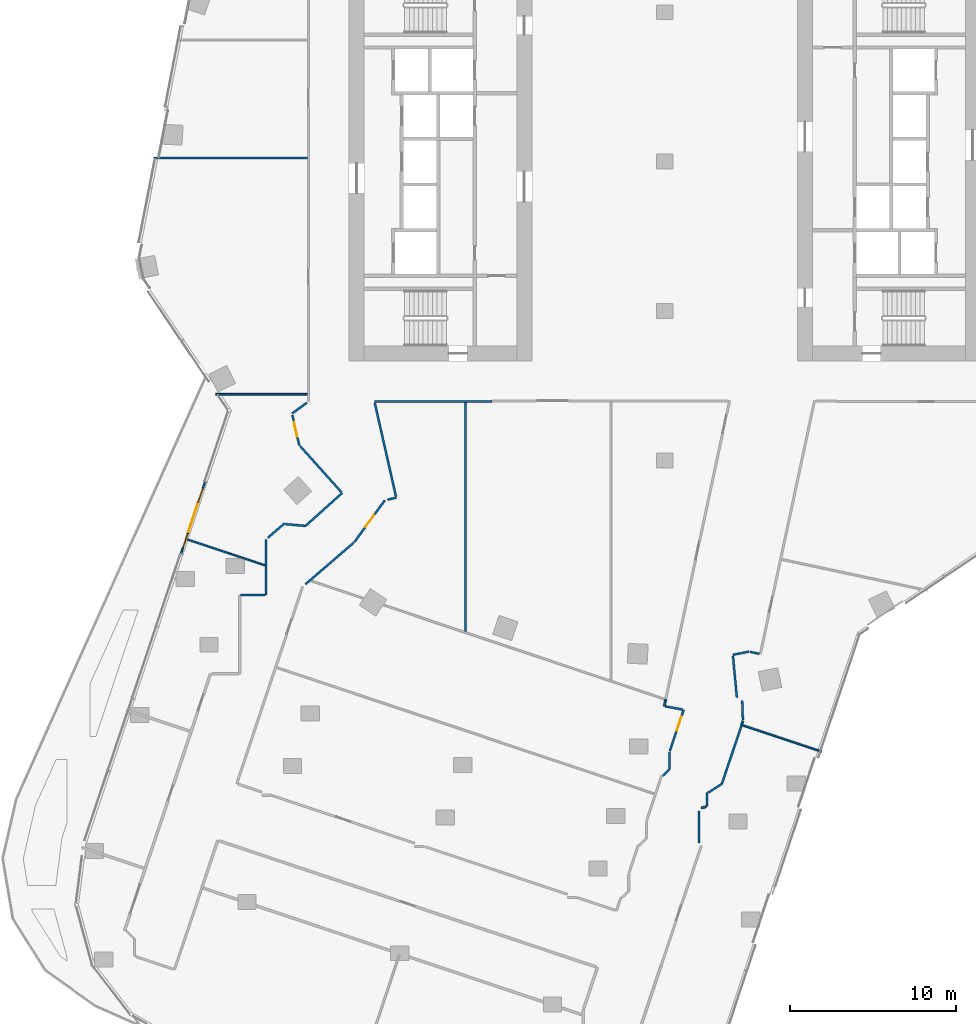
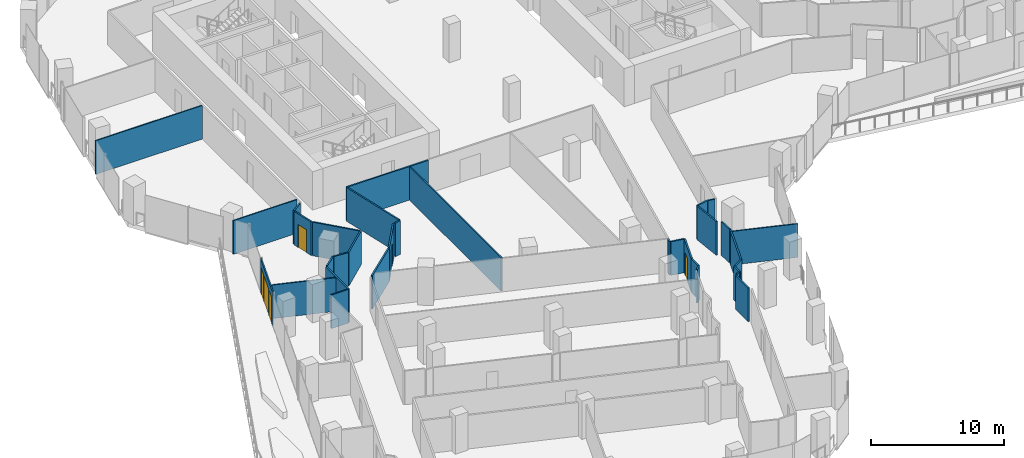
# One storey, part 22 of 34: 34 walls, 4 doors, 2 windows, 6 openings.
"""IFC4 building model written with IfcOpenShell, lengths in metres."""

from ifc_helpers import new_model, si_unit, direction, frame, frame_2d, origin, place, context, subcontext, project, spatial, rectangle, extrude, material, layer, layer_set, type_object, element, fill, save


model = new_model("IFC4")

# Units and contexts
model_context = context("Model", 3, precision=1e-05, world=origin(), true_north=direction((0.0, 1.0)))
body_context = subcontext(model_context, "Body", "Model", "MODEL_VIEW")
ifc_project = project(units=[si_unit("LENGTHUNIT", "METRE"), si_unit("AREAUNIT", "SQUARE_METRE"), si_unit("VOLUMEUNIT", "CUBIC_METRE"), si_unit("PLANEANGLEUNIT", "RADIAN"), si_unit("MASSUNIT", "GRAM", prefix="KILO")], contexts=[model_context])

# Site, building, storey
site_placement = place(None, origin())
site = spatial("IfcSite", under=ifc_project, at=site_placement, CompositionType="ELEMENT")
building_placement = place(site_placement, origin())
building = spatial("IfcBuilding", under=site, at=building_placement, Name="Orlundy Tower", CompositionType="ELEMENT")
storey_placement = place(building_placement, frame((0.0, 0.0, 145.60009765625)))
storey = spatial("IfcBuildingStorey", under=building, at=storey_placement, Name="L37", CompositionType="ELEMENT", Elevation=145.60009765625)

# Walls
ifc_material_1 = material(Name="Gypsum board partition")
ifc_layer_1 = layer(ifc_material_1, 0.10009765625)
ifc_layer_set_1 = layer_set([ifc_layer_1], Name="Floor partition 100")
wall_type_1 = type_object("IfcWallType", Name="Floor partition 100", PredefinedType="PARTITIONING", material=ifc_layer_set_1)
wall_1_placement = place(storey_placement, frame((-28.735107421875, -22.751953125, 0.0), z_axis=(0.0, 0.0, 1.0), x_axis=(0.948349317967, -0.317227948188, 0.0)))
element("IfcWall", 1, at=wall_1_placement, inside=storey, type_object=wall_type_1, Name="wall-int-L37-027", PredefinedType="PARTITIONING", context=body_context, shape_type="SweptSolid", body=[
    extrude(rectangle(XDim=4.905517578125, YDim=0.10009765625, at=frame_2d((2.45263671875, 0.0))), origin(), (0.0, 0.0, 1.0), 3.079833984375),
])
wall_2_placement = place(storey_placement, frame((4.694091796875, -33.93701171875, 0.0), z_axis=(0.0, 0.0, 1.0), x_axis=(0.948328377773, -0.317290541791, 0.0)))
element("IfcWall", 2, at=wall_2_placement, inside=storey, type_object=wall_type_1, Name="wall-int-L37-029", PredefinedType="PARTITIONING", context=body_context, shape_type="SweptSolid", body=[
    extrude(rectangle(XDim=5.030029296875, YDim=0.10009765625, at=frame_2d((2.51513671875, 0.0))), origin(), (0.0, 0.0, 1.0), 3.079833984375),
])
wall_3_placement = place(storey_placement, frame((-27.044921875, -14.0, 0.0), z_axis=(0.0, 0.0, 1.0), x_axis=(1.0, 0.0, 0.0)))
element("IfcWall", 3, at=wall_3_placement, inside=storey, type_object=wall_type_1, Name="wall-int-L37-066", PredefinedType="PARTITIONING", context=body_context, shape_type="SweptSolid", body=[
    extrude(rectangle(XDim=5.532958984375, YDim=0.10009765625, at=frame_2d((2.7666015625, 0.0))), origin(), (0.0, 0.0, 1.0), 3.079833984375),
])
wall_4_placement = place(storey_placement, frame((-30.77294921875, 0.22412109375, 0.0), z_axis=(0.0, 0.0, 1.0), x_axis=(1.0, 0.0, 0.0)))
element("IfcWall", 4, at=wall_4_placement, inside=storey, type_object=wall_type_1, Name="wall-int-L37-067", PredefinedType="PARTITIONING", context=body_context, shape_type="SweptSolid", body=[
    extrude(rectangle(XDim=9.260986328125, YDim=0.10009765625, at=frame_2d((4.63037109375, 0.0))), origin(), (0.0, 0.0, 1.0), 3.079833984375),
])
wall_5_placement = place(storey_placement, frame((-12.0, -28.281982421875, 0.0), z_axis=(0.0, 0.0, 1.0), x_axis=(0.0, 1.0, 0.0)))
element("IfcWall", 5, at=wall_5_placement, inside=storey, type_object=wall_type_1, Name="wall-int-L37-145", PredefinedType="PARTITIONING", context=body_context, shape_type="SweptSolid", body=[
    extrude(rectangle(XDim=13.76806640625, YDim=0.10009765625, at=frame_2d((6.884033203125, 0.0))), origin(), (0.0, 0.0, 1.0), 3.079833984375),
])
ifc_material_2 = material(Name="Gypsum board partition, double layer")
ifc_layer_2 = layer(ifc_material_2, 0.125)
ifc_layer_set_2 = layer_set([ifc_layer_2], Name="Floor partition 125")
wall_type_2 = type_object("IfcWallType", Name="Floor partition 125", PredefinedType="PARTITIONING", material=ifc_layer_set_2)
wall_6_placement = place(storey_placement, frame((4.110107421875, -29.761962890625, 0.0), z_axis=(0.0, 0.0, 1.0), x_axis=(0.094315557951, -0.995542352453, 0.0)))
element("IfcWall", 6, at=wall_6_placement, inside=storey, type_object=wall_type_2, Name="wall-int-L37-002", PredefinedType="PARTITIONING", context=body_context, shape_type="SweptSolid", body=[
    extrude(rectangle(XDim=2.521240234375, YDim=0.125, at=frame_2d((1.2607421875, 0.0))), origin(), (0.0, 0.0, 1.0), 3.079833984375),
])
wall_7_placement = place(storey_placement, frame((4.666015625, -32.4609375, 0.0), z_axis=(0.0, 0.0, 1.0), x_axis=(0.03682592513, -0.999321695571, 0.0)))
element("IfcWall", 7, at=wall_7_placement, inside=storey, type_object=wall_type_2, Name="wall-int-L37-003", PredefinedType="PARTITIONING", context=body_context, shape_type="SweptSolid", body=[
    extrude(rectangle(XDim=1.166748046875, YDim=0.125, at=frame_2d((0.58349609375, 0.0))), origin(), (0.0, 0.0, 1.0), 3.079833984375),
])

# Wall, opening, door
wall_8_placement = place(storey_placement, frame((-22.0048828125, -17.093017578125, 0.0), z_axis=(0.0, 0.0, 1.0), x_axis=(-0.220993241738, 0.975275339125, 0.0)))
wall_8 = element("IfcWall", 8, at=wall_8_placement, inside=storey, type_object=wall_type_2, Name="wall-int-L37-004", PredefinedType="PARTITIONING", context=body_context, shape_type="SweptSolid", body=[
    extrude(rectangle(XDim=1.882568359375, YDim=0.125, at=frame_2d((0.94140625, 0.0))), origin(), (0.0, 0.0, 1.0), 3.079833984375),
])
opening_1_placement = place(wall_8_placement, frame((0.53759765625, 0.0, 0.0)))
opening_1 = element("IfcOpeningElement", 9, at=opening_1_placement, cuts=wall_8, Name="Opening 28120", PredefinedType="OPENING", context=body_context, shape_type="SweptSolid", body=[
    extrude(rectangle(XDim=0.89990234375, YDim=2.10009765625, at=frame_2d((0.449951171875, 1.050048828125))), frame((0.0, 0.072509765625, 0.0), z_axis=(0.0, -1.0, 0.0), x_axis=(1.0, 0.0, 0.0)), (0.0, 0.0, 1.0), 0.14501953125),
])
ifc_material_3 = material(Name="Timber door leaf", Category="wood")
door_type_1 = type_object("IfcDoorType", Name="Floor door single 900 FD30S", OperationType="NOTDEFINED", PredefinedType="DOOR", material=ifc_material_3)
door_1_placement = place(opening_1_placement, origin())
door_1 = element("IfcDoor", 10, at=door_1_placement, inside=storey, type_object=door_type_1, Name="Door 28120", OperationType="SINGLE_SWING_RIGHT", OverallHeight=2.10009765625, OverallWidth=0.89990234375, PredefinedType="DOOR", context=body_context, shape_type="SweptSolid", body=[
    extrude(rectangle(XDim=0.89990234375, YDim=2.10009765625, at=frame_2d((0.449951171875, 1.050048828125))), frame((0.0, 0.02490234375, 0.0), z_axis=(0.0, -1.0, 0.0), x_axis=(1.0, 0.0, 0.0)), (0.0, 0.0, 1.0), 0.050048828125),
])
fill(opening_1, door_1)

# Walls
wall_9_placement = place(storey_placement, frame((-17.458984375, -14.527099609375, 0.0), z_axis=(0.0, 0.0, 1.0), x_axis=(0.22097932786, -0.975278491847, 0.0)))
element("IfcWall", 11, at=wall_9_placement, inside=storey, type_object=wall_type_2, Name="wall-int-L37-005", PredefinedType="PARTITIONING", context=body_context, shape_type="SweptSolid", body=[
    extrude(rectangle(XDim=5.7880859375, YDim=0.125, at=frame_2d((2.89404296875, 0.0))), origin(), (0.0, 0.0, 1.0), 3.079833984375),
])
wall_10_placement = place(storey_placement, frame((-22.846923828125, -21.823974609375, 0.0), z_axis=(0.0, 0.0, 1.0), x_axis=(0.995911246845, -0.090337082125, 0.0)))
element("IfcWall", 12, at=wall_10_placement, inside=storey, type_object=wall_type_2, Name="wall-int-L37-008", PredefinedType="PARTITIONING", context=body_context, shape_type="SweptSolid", body=[
    extrude(rectangle(XDim=1.21875, YDim=0.125, at=frame_2d((0.609375, 0.0))), origin(), (0.0, 0.0, 1.0), 3.079833984375),
])
wall_11_placement = place(storey_placement, frame((-21.95703125, -17.1240234375, 0.0), z_axis=(0.0, 0.0, 1.0), x_axis=(0.667356334738, -0.744738559822, 0.0)))
element("IfcWall", 13, at=wall_11_placement, inside=storey, type_object=wall_type_2, Name="wall-int-L37-009", PredefinedType="PARTITIONING", context=body_context, shape_type="SweptSolid", body=[
    extrude(rectangle(XDim=3.735595703125, YDim=0.125, at=frame_2d((1.86767578125, 0.0))), origin(), (0.0, 0.0, 1.0), 3.079833984375),
])
wall_12_placement = place(storey_placement, frame((5.135986328125, -29.51611328125, 0.0), z_axis=(0.0, 0.0, 1.0), x_axis=(0.978074690438, -0.208254411537, 0.0)))
element("IfcWall", 14, at=wall_12_placement, inside=storey, type_object=wall_type_2, Name="wall-int-L37-031", PredefinedType="PARTITIONING", context=body_context, shape_type="SweptSolid", body=[
    extrude(rectangle(XDim=0.57568359375, YDim=0.125, at=frame_2d((0.287841796875, 0.0))), origin(), (0.0, 0.0, 1.0), 3.079833984375),
])
wall_13_placement = place(storey_placement, frame((0.034912109375, -32.802001953125, 0.0), z_axis=(0.0, 0.0, 1.0), x_axis=(0.983943238731, -0.178481659998, 0.0)))
element("IfcWall", 15, at=wall_13_placement, inside=storey, type_object=wall_type_2, Name="wall-int-L37-032", PredefinedType="PARTITIONING", context=body_context, shape_type="SweptSolid", body=[
    extrude(rectangle(XDim=1.064208984375, YDim=0.125, at=frame_2d((0.5322265625, 0.0))), origin(), (0.0, 0.0, 1.0), 3.079833984375),
])
wall_14_placement = place(storey_placement, frame((2.623046875, -37.9970703125, 0.0), z_axis=(0.0, 0.0, 1.0), x_axis=(0.840117362628, 0.542404661679, 0.0)))
element("IfcWall", 16, at=wall_14_placement, inside=storey, type_object=wall_type_2, Name="wall-int-L37-056", PredefinedType="PARTITIONING", context=body_context, shape_type="SweptSolid", body=[
    extrude(rectangle(XDim=0.980712890625, YDim=0.125, at=frame_2d((0.490234375, 0.0))), origin(), (0.0, 0.0, 1.0), 3.079833984375),
])
wall_15_placement = place(storey_placement, frame((-0.09912109375, -36.97509765625, 0.0), z_axis=(0.0, 0.0, 1.0), x_axis=(0.707106781187, 0.707106781187, 0.0)))
element("IfcWall", 17, at=wall_15_placement, inside=storey, type_object=wall_type_2, Name="wall-int-L37-057", PredefinedType="PARTITIONING", context=body_context, shape_type="SweptSolid", body=[
    extrude(rectangle(XDim=0.55322265625, YDim=0.125, at=frame_2d((0.276611328125, 0.0))), origin(), (0.0, 0.0, 1.0), 3.079833984375),
])
wall_16_placement = place(storey_placement, frame((-25.5380859375, -26.096923828125, 0.0), z_axis=(0.0, 0.0, 1.0), x_axis=(1.0, 0.0, 0.0)))
element("IfcWall", 18, at=wall_16_placement, inside=storey, type_object=wall_type_2, Name="wall-int-L37-059", PredefinedType="PARTITIONING", context=body_context, shape_type="SweptSolid", body=[
    extrude(rectangle(XDim=1.47119140625, YDim=0.125, at=frame_2d((0.735595703125, 0.0))), origin(), (0.0, 0.0, 1.0), 3.079833984375),
])
wall_17_placement = place(storey_placement, frame((-17.47607421875, -14.450927734375, 0.0), z_axis=(0.0, 0.0, 1.0), x_axis=(1.0, 0.0, 0.0)))
element("IfcWall", 19, at=wall_17_placement, inside=storey, type_object=wall_type_2, Name="wall-int-L37-062", PredefinedType="PARTITIONING", context=body_context, shape_type="SweptSolid", body=[
    extrude(rectangle(XDim=7.0849609375, YDim=0.125, at=frame_2d((3.54248046875, 0.0))), origin(), (0.0, 0.0, 1.0), 3.079833984375),
])
wall_18_placement = place(storey_placement, frame((4.10400390625, -29.699951171875, 0.0), z_axis=(0.0, 0.0, 1.0), x_axis=(0.980027109115, 0.198863936901, 0.0)))
element("IfcWall", 20, at=wall_18_placement, inside=storey, type_object=wall_type_2, Name="wall-int-L37-079", PredefinedType="PARTITIONING", context=body_context, shape_type="SweptSolid", body=[
    extrude(rectangle(XDim=0.99072265625, YDim=0.125, at=frame_2d((0.495361328125, 0.0))), origin(), (0.0, 0.0, 1.0), 3.079833984375),
])
wall_19_placement = place(storey_placement, frame((-16.68798828125, -20.35107421875, 0.0), z_axis=(0.0, 0.0, 1.0), x_axis=(0.975624440279, 0.2194469219, 0.0)))
element("IfcWall", 21, at=wall_19_placement, inside=storey, type_object=wall_type_2, Name="wall-int-L37-082", PredefinedType="PARTITIONING", context=body_context, shape_type="SweptSolid", body=[
    extrude(rectangle(XDim=0.533935546875, YDim=0.125, at=frame_2d((0.26708984375, 0.0))), origin(), (0.0, 0.0, 1.0), 3.079833984375),
])
wall_20_placement = place(storey_placement, frame((2.212890625, -38.9189453125, 0.0), z_axis=(0.0, 0.0, 1.0), x_axis=(0.967485661633, 0.252925867666, 0.0)))
element("IfcWall", 22, at=wall_20_placement, inside=storey, type_object=wall_type_2, Name="wall-int-L37-083", PredefinedType="PARTITIONING", context=body_context, shape_type="SweptSolid", body=[
    extrude(rectangle(XDim=0.276123046875, YDim=0.125, at=frame_2d((0.13818359375, 0.0))), origin(), (0.0, 0.0, 1.0), 3.079833984375),
])
wall_21_placement = place(storey_placement, frame((-22.429931640625, -15.158935546875, 0.0), z_axis=(0.0, 0.0, 1.0), x_axis=(0.808202988532, 0.588904006888, 0.0)))
element("IfcWall", 23, at=wall_21_placement, inside=storey, type_object=wall_type_2, Name="wall-int-L37-085", PredefinedType="PARTITIONING", context=body_context, shape_type="SweptSolid", body=[
    extrude(rectangle(XDim=1.08984375, YDim=0.125, at=frame_2d((0.544921875, 0.0))), origin(), (0.0, 0.0, 1.0), 3.079833984375),
])
wall_22_placement = place(storey_placement, frame((-21.631103515625, -25.445068359375, 0.0), z_axis=(0.0, 0.0, 1.0), x_axis=(0.758076355729, 0.652165806283, 0.0)))
element("IfcWall", 24, at=wall_22_placement, inside=storey, type_object=wall_type_2, Name="wall-int-L37-086", PredefinedType="PARTITIONING", context=body_context, shape_type="SweptSolid", body=[
    extrude(rectangle(XDim=3.81494140625, YDim=0.125, at=frame_2d((1.907470703125, 0.0))), origin(), (0.0, 0.0, 1.0), 3.079833984375),
])
wall_23_placement = place(storey_placement, frame((-23.902099609375, -22.64794921875, 0.0), z_axis=(0.0, 0.0, 1.0), x_axis=(0.758365847052, 0.651829150948, 0.0)))
element("IfcWall", 25, at=wall_23_placement, inside=storey, type_object=wall_type_2, Name="wall-int-L37-087", PredefinedType="PARTITIONING", context=body_context, shape_type="SweptSolid", body=[
    extrude(rectangle(XDim=1.3359375, YDim=0.125, at=frame_2d((0.66796875, 0.0))), origin(), (0.0, 0.0, 1.0), 3.079833984375),
])
wall_24_placement = place(storey_placement, frame((-21.633056640625, -21.93408203125, 0.0), z_axis=(0.0, 0.0, 1.0), x_axis=(0.744739962286, 0.66735476965, 0.0)))
element("IfcWall", 26, at=wall_24_placement, inside=storey, type_object=wall_type_2, Name="wall-int-L37-088", PredefinedType="PARTITIONING", context=body_context, shape_type="SweptSolid", body=[
    extrude(rectangle(XDim=2.96875, YDim=0.125, at=frame_2d((1.484375, 0.0))), origin(), (0.0, 0.0, 1.0), 3.079833984375),
])

# Wall, opening, door
wall_25_placement = place(storey_placement, frame((-16.85009765625, -20.387939453125, 0.0), z_axis=(0.0, 0.0, 1.0), x_axis=(-0.588933093797, -0.808181793305, 0.0)))
wall_25 = element("IfcWall", 27, at=wall_25_placement, inside=storey, type_object=wall_type_2, Name="wall-int-L37-091", PredefinedType="PARTITIONING", context=body_context, shape_type="SweptSolid", body=[
    extrude(rectangle(XDim=3.125732421875, YDim=0.125, at=frame_2d((1.56298828125, 0.0))), origin(), (0.0, 0.0, 1.0), 3.079833984375),
])
opening_2_placement = place(wall_25_placement, frame((1.10009765625, 0.0, 0.0)))
opening_2 = element("IfcOpeningElement", 28, at=opening_2_placement, cuts=wall_25, Name="Opening 28121", PredefinedType="OPENING", context=body_context, shape_type="SweptSolid", body=[
    extrude(rectangle(XDim=0.89990234375, YDim=2.10009765625, at=frame_2d((0.449951171875, 1.050048828125))), frame((0.0, 0.072509765625, 0.0), z_axis=(0.0, -1.0, 0.0), x_axis=(1.0, 0.0, 0.0)), (0.0, 0.0, 1.0), 0.14501953125),
])
door_2_placement = place(opening_2_placement, origin())
door_2 = element("IfcDoor", 29, at=door_2_placement, inside=storey, type_object=door_type_1, Name="Door 28121", OperationType="SINGLE_SWING_LEFT", OverallHeight=2.10009765625, OverallWidth=0.89990234375, PredefinedType="DOOR", context=body_context, shape_type="SweptSolid", body=[
    extrude(rectangle(XDim=0.89990234375, YDim=2.10009765625, at=frame_2d((0.449951171875, 1.050048828125))), frame((0.0, 0.02490234375, 0.0), z_axis=(0.0, -1.0, 0.0), x_axis=(1.0, 0.0, 0.0)), (0.0, 0.0, 1.0), 0.050048828125),
])
fill(opening_2, door_2)

# Wall
wall_26_placement = place(storey_placement, frame((3.447021484375, -37.465087890625, 0.0), z_axis=(0.0, 0.0, 1.0), x_axis=(0.31749982988, 0.948258328741, 0.0)))
element("IfcWall", 30, at=wall_26_placement, inside=storey, type_object=wall_type_2, Name="wall-int-L37-095", PredefinedType="PARTITIONING", context=body_context, shape_type="SweptSolid", body=[
    extrude(rectangle(XDim=3.74169921875, YDim=0.125, at=frame_2d((1.870849609375, 0.0))), origin(), (0.0, 0.0, 1.0), 3.079833984375),
])

# Wall, opening, door
wall_27_placement = place(storey_placement, frame((0.31201171875, -35.488037109375, 0.0), z_axis=(0.0, 0.0, 1.0), x_axis=(0.317149997564, 0.948375389308, 0.0)))
wall_27 = element("IfcWall", 31, at=wall_27_placement, inside=storey, type_object=wall_type_2, Name="wall-int-L37-103", PredefinedType="PARTITIONING", context=body_context, shape_type="SweptSolid", body=[
    extrude(rectangle(XDim=2.620361328125, YDim=0.125, at=frame_2d((1.31005859375, 0.0))), origin(), (0.0, 0.0, 1.0), 3.079833984375),
])
opening_3_placement = place(wall_27_placement, frame((1.28759765625, 0.0, 0.0)))
opening_3 = element("IfcOpeningElement", 32, at=opening_3_placement, cuts=wall_27, Name="Opening 28113", PredefinedType="OPENING", context=body_context, shape_type="SweptSolid", body=[
    extrude(rectangle(XDim=0.89990234375, YDim=2.10009765625, at=frame_2d((0.449951171875, 1.050048828125))), frame((0.0, 0.072509765625, 0.0), z_axis=(0.0, -1.0, 0.0), x_axis=(1.0, 0.0, 0.0)), (0.0, 0.0, 1.0), 0.14501953125),
])
door_3_placement = place(opening_3_placement, origin())
door_3 = element("IfcDoor", 33, at=door_3_placement, inside=storey, type_object=door_type_1, Name="Door 28113", OperationType="SINGLE_SWING_RIGHT", OverallHeight=2.10009765625, OverallWidth=0.89990234375, PredefinedType="DOOR", context=body_context, shape_type="SweptSolid", body=[
    extrude(rectangle(XDim=0.89990234375, YDim=2.10009765625, at=frame_2d((0.449951171875, 1.050048828125))), frame((0.0, 0.02490234375, 0.0), z_axis=(0.0, -1.0, 0.0), x_axis=(1.0, 0.0, 0.0)), (0.0, 0.0, 1.0), 0.050048828125),
])
fill(opening_3, door_3)

# Walls
wall_28_placement = place(storey_placement, frame((4.635009765625, -33.9169921875, 0.0), z_axis=(0.0, 0.0, 1.0), x_axis=(0.315923000826, 0.948784832061, 0.0)))
element("IfcWall", 34, at=wall_28_placement, inside=storey, type_object=wall_type_2, Name="wall-int-L37-109", PredefinedType="PARTITIONING", context=body_context, shape_type="SweptSolid", body=[
    extrude(rectangle(XDim=0.240234375, YDim=0.125, at=frame_2d((0.1201171875, 0.0))), origin(), (0.0, 0.0, 1.0), 3.079833984375),
])
wall_29_placement = place(storey_placement, frame((-0.02587890625, -32.791015625, 0.0), z_axis=(0.0, 0.0, 1.0), x_axis=(0.210295516646, 0.977637865305, 0.0)))
element("IfcWall", 35, at=wall_29_placement, inside=storey, type_object=wall_type_2, Name="wall-int-L37-110", PredefinedType="PARTITIONING", context=body_context, shape_type="SweptSolid", body=[
    extrude(rectangle(XDim=0.413330078125, YDim=0.125, at=frame_2d((0.20654296875, 0.0))), origin(), (0.0, 0.0, 1.0), 3.079833984375),
])
wall_30_placement = place(storey_placement, frame((2.56005859375, -38.825927734375, 0.0), z_axis=(0.0, 0.0, 1.0), x_axis=(0.0, 1.0, 0.0)))
element("IfcWall", 36, at=wall_30_placement, inside=storey, type_object=wall_type_2, Name="wall-int-L37-137", PredefinedType="PARTITIONING", context=body_context, shape_type="SweptSolid", body=[
    extrude(rectangle(XDim=0.828857421875, YDim=0.125, at=frame_2d((0.41455078125, 0.0))), origin(), (0.0, 0.0, 1.0), 3.079833984375),
])
wall_31_placement = place(storey_placement, frame((2.072998046875, -41.02001953125, 0.0), z_axis=(0.0, 0.0, 1.0), x_axis=(0.0, 1.0, 0.0)))
element("IfcWall", 37, at=wall_31_placement, inside=storey, type_object=wall_type_2, Name="wall-int-L37-138", PredefinedType="PARTITIONING", context=body_context, shape_type="SweptSolid", body=[
    extrude(rectangle(XDim=1.9189453125, YDim=0.125, at=frame_2d((0.95947265625, 0.0))), origin(), (0.0, 0.0, 1.0), 3.079833984375),
])
wall_32_placement = place(storey_placement, frame((0.2919921875, -36.583984375, 0.0), z_axis=(0.0, 0.0, 1.0), x_axis=(0.0, 1.0, 0.0)))
element("IfcWall", 38, at=wall_32_placement, inside=storey, type_object=wall_type_2, Name="wall-int-L37-139", PredefinedType="PARTITIONING", context=body_context, shape_type="SweptSolid", body=[
    extrude(rectangle(XDim=1.036865234375, YDim=0.125, at=frame_2d((0.5185546875, 0.0))), origin(), (0.0, 0.0, 1.0), 3.079833984375),
])
wall_33_placement = place(storey_placement, frame((-24.0048828125, -26.096923828125, 0.0), z_axis=(0.0, 0.0, 1.0), x_axis=(0.0, 1.0, 0.0)))
element("IfcWall", 39, at=wall_33_placement, inside=storey, type_object=wall_type_2, Name="wall-int-L37-148", PredefinedType="PARTITIONING", context=body_context, shape_type="SweptSolid", body=[
    extrude(rectangle(XDim=3.35986328125, YDim=0.125, at=frame_2d((1.679931640625, 0.0))), origin(), (0.0, 0.0, 1.0), 3.079833984375),
])

# Wall, openings, windows, door
ifc_material_4 = material(Name="Aluminium bronze and tinted glass", Category="aluminium")
ifc_layer_3 = layer(ifc_material_4, 0.10009765625)
ifc_layer_set_3 = layer_set([ifc_layer_3], Name="Glazed door screen")
wall_type_3 = type_object("IfcWallType", Name="Glazed door screen", PredefinedType="STANDARD", material=ifc_layer_set_3)
wall_34_placement = place(storey_placement, frame((-29.123291015625, -23.598388671875, 0.0), z_axis=(0.0, 0.0, 1.0), x_axis=(0.317308744881, 0.948322287211, 0.0)))
wall_34 = element("IfcWall", 40, at=wall_34_placement, inside=storey, type_object=wall_type_3, Name="Glazed door screen", PredefinedType="STANDARD", context=body_context, shape_type="SweptSolid", body=[
    extrude(rectangle(XDim=4.538818359375, YDim=0.10009765625, at=frame_2d((2.26953125, 0.0))), origin(), (0.0, 0.0, 1.0), 3.099853515625),
])
opening_4_placement = place(wall_34_placement, frame((1.369384765625, 0.0, 0.0)))
opening_4 = element("IfcOpeningElement", 41, at=opening_4_placement, cuts=wall_34, Name="Opening 28942", PredefinedType="OPENING", context=body_context, shape_type="SweptSolid", body=[
    extrude(rectangle(XDim=1.800048828125, YDim=2.39990234375, at=frame_2d((0.89990234375, 1.199951171875))), frame((0.0, 0.06005859375, 0.0), z_axis=(0.0, -1.0, 0.0), x_axis=(1.0, 0.0, 0.0)), (0.0, 0.0, 1.0), 0.1201171875),
])
opening_5_placement = place(wall_34_placement, frame((0.369384765625, 0.0, 0.0)))
opening_5 = element("IfcOpeningElement", 42, at=opening_5_placement, cuts=wall_34, Name="Opening W02", PredefinedType="OPENING", context=body_context, shape_type="SweptSolid", body=[
    extrude(rectangle(XDim=0.89990234375, YDim=2.39990234375, at=frame_2d((0.449951171875, 1.199951171875))), frame((0.0, 0.06005859375, 0.0), z_axis=(0.0, -1.0, 0.0), x_axis=(1.0, 0.0, 0.0)), (0.0, 0.0, 1.0), 0.1201171875),
])
opening_6_placement = place(wall_34_placement, frame((3.269287109375, 0.0, 0.0)))
opening_6 = element("IfcOpeningElement", 43, at=opening_6_placement, cuts=wall_34, Name="Opening W02", PredefinedType="OPENING", context=body_context, shape_type="SweptSolid", body=[
    extrude(rectangle(XDim=0.89990234375, YDim=2.39990234375, at=frame_2d((0.449951171875, 1.199951171875))), frame((0.0, 0.06005859375, 0.0), z_axis=(0.0, -1.0, 0.0), x_axis=(1.0, 0.0, 0.0)), (0.0, 0.0, 1.0), 0.1201171875),
])
ifc_material_5 = material(Name="Tinted glass in bronze aluminium frame", Category="aluminium")
window_type = type_object("IfcWindowType", Name="SL2 sidelight 900x2400", PartitioningType="SINGLE_PANEL", PredefinedType="WINDOW", material=ifc_material_5)
window_1_placement = place(opening_5_placement, origin())
window_1 = element("IfcWindow", 44, at=window_1_placement, inside=storey, type_object=window_type, Name="Window W02 L37", OverallHeight=2.39990234375, OverallWidth=0.89990234375, PartitioningType="SINGLE_PANEL", PredefinedType="WINDOW", context=body_context, shape_type="SweptSolid", body=[
    extrude(rectangle(XDim=0.89990234375, YDim=2.39990234375, at=frame_2d((0.449951171875, 1.199951171875))), frame((0.0, 0.030029296875, 0.0), z_axis=(0.0, -1.0, 0.0), x_axis=(1.0, 0.0, 0.0)), (0.0, 0.0, 1.0), 0.06005859375),
])
fill(opening_5, window_1)
window_2_placement = place(opening_6_placement, origin())
window_2 = element("IfcWindow", 45, at=window_2_placement, inside=storey, type_object=window_type, Name="Window W02 L37", OverallHeight=2.39990234375, OverallWidth=0.89990234375, PartitioningType="SINGLE_PANEL", PredefinedType="WINDOW", context=body_context, shape_type="SweptSolid", body=[
    extrude(rectangle(XDim=0.89990234375, YDim=2.39990234375, at=frame_2d((0.449951171875, 1.199951171875))), frame((0.0, 0.030029296875, 0.0), z_axis=(0.0, -1.0, 0.0), x_axis=(1.0, 0.0, 0.0)), (0.0, 0.0, 1.0), 0.06005859375),
])
fill(opening_6, window_2)
ifc_material_6 = material(Name="Aluminium bronze and tinted glass", Category="aluminium")
door_type_2 = type_object("IfcDoorType", Name="TD1 terrace door 1800x2400", OperationType="NOTDEFINED", PredefinedType="DOOR", material=ifc_material_6)
door_4_placement = place(opening_4_placement, origin())
door_4 = element("IfcDoor", 46, at=door_4_placement, inside=storey, type_object=door_type_2, Name="Door 28942", OperationType="DOUBLE_DOOR_SINGLE_SWING", OverallHeight=2.39990234375, OverallWidth=1.800048828125, PredefinedType="DOOR", context=body_context, shape_type="SweptSolid", body=[
    extrude(rectangle(XDim=1.800048828125, YDim=2.39990234375, at=frame_2d((0.89990234375, 1.199951171875))), frame((0.0, 0.02490234375, 0.0), z_axis=(0.0, -1.0, 0.0), x_axis=(1.0, 0.0, 0.0)), (0.0, 0.0, 1.0), 0.050048828125),
])
fill(opening_4, door_4)

save(model, "model.ifc")
